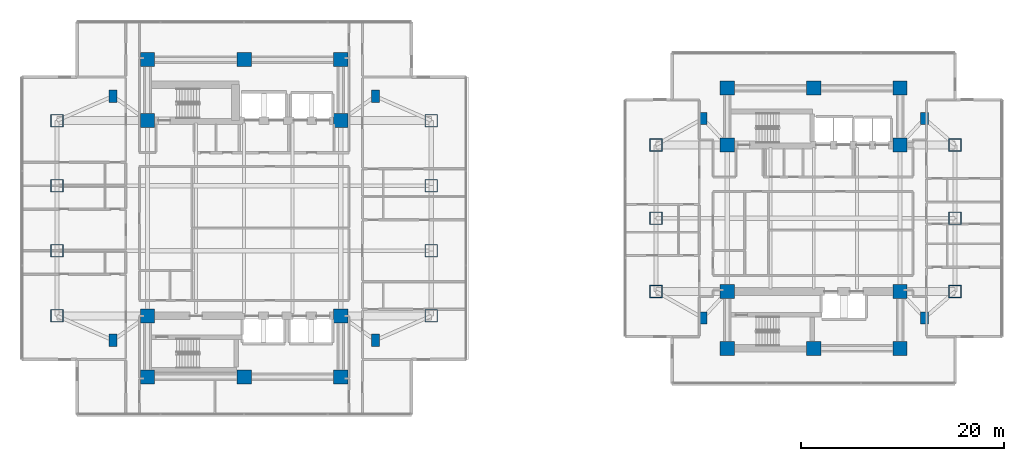
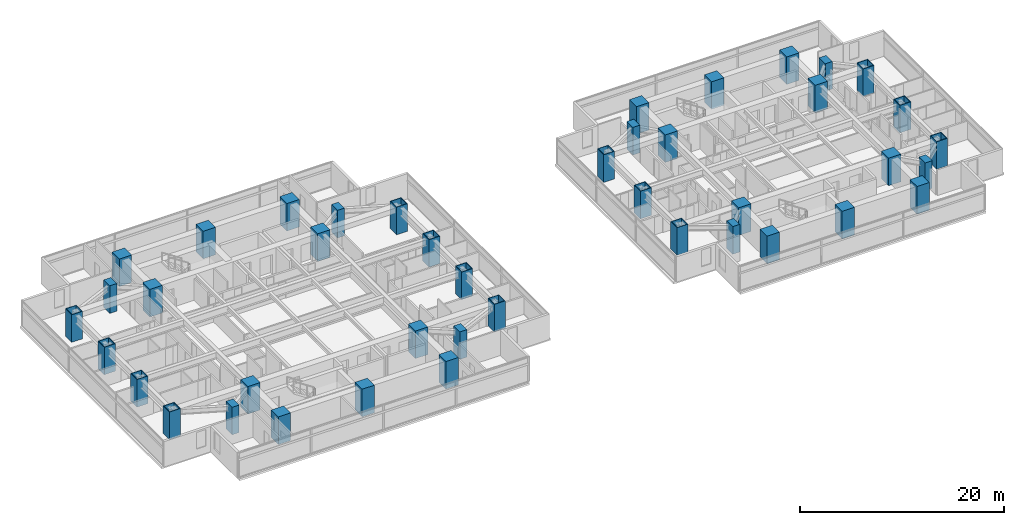
# One storey, part 1 of 25: 42 columns.
"""IFC4 building model written with IfcOpenShell, lengths in metres."""

from ifc_helpers import new_model, si_unit, direction, frame, origin, origin_2d, place, context, subcontext, project, spatial, rectangle, hollow_rectangle, extrude, material, material_profile, profile_set, type_object, element, save


model = new_model("IFC4")

# Units and contexts
model_context = context("Model", 3, precision=1e-05, world=origin(), true_north=direction((0.0, 1.0)))
body_context = subcontext(model_context, "Body", "Model", "MODEL_VIEW")
ifc_project = project(units=[si_unit("LENGTHUNIT", "METRE"), si_unit("AREAUNIT", "SQUARE_METRE"), si_unit("VOLUMEUNIT", "CUBIC_METRE"), si_unit("PLANEANGLEUNIT", "RADIAN"), si_unit("MASSUNIT", "GRAM", prefix="KILO")], contexts=[model_context])

# Site, building, storey
site_placement = place(None, origin())
site = spatial("IfcSite", under=ifc_project, at=site_placement, CompositionType="ELEMENT")
building_placement = place(site_placement, origin())
building = spatial("IfcBuilding", under=site, at=building_placement, Name="Mirazonda Arch Towers", CompositionType="ELEMENT")
storey_placement = place(building_placement, frame((0.0, 0.0, 32.300048828125)))
storey = spatial("IfcBuildingStorey", under=building, at=storey_placement, Name="L08", CompositionType="ELEMENT", Elevation=32.300048828125)

# Columns
ifc_material_1 = material(Name="Concrete C60/75", Category="concrete")
ifc_material_profile_1 = material_profile(ifc_material_1, rectangle(XDim=1.39990234375, YDim=1.39990234375, at=origin_2d()), Name="RC1400x1400")
ifc_profile_set_1 = profile_set([ifc_material_profile_1], Name="Concrete C60/75")
column_type_1 = type_object("IfcColumnType", Name="COL-INT-RC1400x1400", PredefinedType="COLUMN", material=ifc_profile_set_1)
for number, where, z_axis, x_axis, name in (
    (1, (11.0, 12.39990234375, 0.0), (0.0, 0.0, 1.0), (1.0, 0.0, 0.0), "L08 T1 Core Column 01"),
    (2, (20.5, 12.39990234375, 0.0), (0.0, 0.0, 1.0), (1.0, 0.0, 0.0), "L08 T1 Core Column 02"),
    (3, (30.0, 12.39990234375, 0.0), (0.0, 0.0, 1.0), (1.0, 0.0, 0.0), "L08 T1 Core Column 03"),
    (4, (11.0, 18.39990234375, 0.0), (0.0, 0.0, 1.0), (1.0, 0.0, 0.0), "L08 T1 Core Column 04"),
    (5, (30.0, 18.39990234375, 0.0), (0.0, 0.0, 1.0), (1.0, 0.0, 0.0), "L08 T1 Core Column 05"),
    (6, (11.0, 37.60009765625, 0.0), (0.0, 0.0, 1.0), (1.0, 0.0, 0.0), "L08 T1 Core Column 06"),
    (7, (30.0, 37.60009765625, 0.0), (0.0, 0.0, 1.0), (1.0, 0.0, 0.0), "L08 T1 Core Column 07"),
    (8, (11.0, 43.60009765625, 0.0), (0.0, 0.0, 1.0), (1.0, 0.0, 0.0), "L08 T1 Core Column 08"),
    (9, (20.5, 43.60009765625, 0.0), (0.0, 0.0, 1.0), (1.0, 0.0, 0.0), "L08 T1 Core Column 09"),
    (10, (30.0, 43.60009765625, 0.0), (0.0, 0.0, 1.0), (1.0, 0.0, 0.0), "L08 T1 Core Column 10"),
    (11, (68.0, 15.199951171875, 0.0), (0.0, 0.0, 1.0), (1.0, 0.0, 0.0), "L08 T2 Core Column 01"),
    (12, (76.5, 15.199951171875, 0.0), (0.0, 0.0, 1.0), (1.0, 0.0, 0.0), "L08 T2 Core Column 02"),
    (13, (85.0, 15.199951171875, 0.0), (0.0, 0.0, 1.0), (1.0, 0.0, 0.0), "L08 T2 Core Column 03"),
    (14, (68.0, 20.800048828125, 0.0), (0.0, 0.0, 1.0), (1.0, 0.0, 0.0), "L08 T2 Core Column 04"),
    (15, (85.0, 20.800048828125, 0.0), (0.0, 0.0, 1.0), (1.0, 0.0, 0.0), "L08 T2 Core Column 05"),
    (16, (68.0, 35.199951171875, 0.0), (0.0, 0.0, 1.0), (1.0, 0.0, 0.0), "L08 T2 Core Column 06"),
    (17, (85.0, 35.199951171875, 0.0), (0.0, 0.0, 1.0), (1.0, 0.0, 0.0), "L08 T2 Core Column 07"),
    (18, (68.0, 40.800048828125, 0.0), (0.0, 0.0, 1.0), (1.0, 0.0, 0.0), "L08 T2 Core Column 08"),
    (19, (76.5, 40.800048828125, 0.0), (0.0, 0.0, 1.0), (1.0, 0.0, 0.0), "L08 T2 Core Column 09"),
    (20, (85.0, 40.800048828125, 0.0), (0.0, 0.0, 1.0), (1.0, 0.0, 0.0), "L08 T2 Core Column 10"),
):
    element("IfcColumn", number, at=place(storey_placement, frame(where, z_axis=z_axis, x_axis=x_axis)), inside=storey, type_object=column_type_1, Name=name, PredefinedType="COLUMN", context=body_context, shape_type="SweptSolid", body=[
        extrude(rectangle(XDim=1.39990234375, YDim=1.39990234375, at=origin_2d()), origin(), (0.0, 0.0, 1.0), 3.300048828125),
    ])
ifc_material_2 = material(Name="Steel ASTM A572 Grade 50", Category="steel")
ifc_material_profile_2 = material_profile(ifc_material_2, hollow_rectangle(XDim=1.25, YDim=1.25, WallThickness=0.070068359375, at=origin_2d()), Name="BOX1250x1250x70")
ifc_profile_set_2 = profile_set([ifc_material_profile_2], Name="Steel ASTM A572 Grade 50")
column_type_2 = type_object("IfcColumnType", Name="MCOL-EXT-BOX1250x1250x70", PredefinedType="COLUMN", material=ifc_profile_set_2)
for number, where, z_axis, x_axis, name in (
    (21, (2.10009765625, 18.39990234375, 0.0), (0.0, 0.0, 1.0), (1.0, 0.0, 0.0), "L08 T1 Composite Mega-Column 01"),
    (22, (2.10009765625, 24.800048828125, 0.0), (0.0, 0.0, 1.0), (1.0, 0.0, 0.0), "L08 T1 Composite Mega-Column 02"),
    (23, (2.10009765625, 31.199951171875, 0.0), (0.0, 0.0, 1.0), (1.0, 0.0, 0.0), "L08 T1 Composite Mega-Column 03"),
    (24, (2.10009765625, 37.60009765625, 0.0), (0.0, 0.0, 1.0), (1.0, 0.0, 0.0), "L08 T1 Composite Mega-Column 04"),
    (25, (38.89990234375, 18.39990234375, 0.0), (0.0, 0.0, 1.0), (1.0, 0.0, 0.0), "L08 T1 Composite Mega-Column 05"),
    (26, (38.89990234375, 24.800048828125, 0.0), (0.0, 0.0, 1.0), (1.0, 0.0, 0.0), "L08 T1 Composite Mega-Column 06"),
    (27, (38.89990234375, 31.199951171875, 0.0), (0.0, 0.0, 1.0), (1.0, 0.0, 0.0), "L08 T1 Composite Mega-Column 07"),
    (28, (38.89990234375, 37.60009765625, 0.0), (0.0, 0.0, 1.0), (1.0, 0.0, 0.0), "L08 T1 Composite Mega-Column 08"),
    (29, (61.0, 20.800048828125, 0.0), (0.0, 0.0, 1.0), (1.0, 0.0, 0.0), "L08 T2 Composite Mega-Column 01"),
    (30, (61.0, 28.0, 0.0), (0.0, 0.0, 1.0), (1.0, 0.0, 0.0), "L08 T2 Composite Mega-Column 02"),
    (31, (61.0, 35.199951171875, 0.0), (0.0, 0.0, 1.0), (1.0, 0.0, 0.0), "L08 T2 Composite Mega-Column 03"),
    (32, (90.39990234375, 20.800048828125, 0.0), (0.0, 0.0, 1.0), (1.0, 0.0, 0.0), "L08 T2 Composite Mega-Column 04"),
    (33, (90.39990234375, 28.0, 0.0), (0.0, 0.0, 1.0), (1.0, 0.0, 0.0), "L08 T2 Composite Mega-Column 05"),
    (34, (90.39990234375, 35.199951171875, 0.0), (0.0, 0.0, 1.0), (1.0, 0.0, 0.0), "L08 T2 Composite Mega-Column 06"),
):
    element("IfcColumn", number, at=place(storey_placement, frame(where, z_axis=z_axis, x_axis=x_axis)), inside=storey, type_object=column_type_2, Name=name, PredefinedType="COLUMN", context=body_context, shape_type="SweptSolid", body=[
        extrude(hollow_rectangle(XDim=1.25, YDim=1.25, WallThickness=0.070068359375, at=origin_2d()), origin(), (0.0, 0.0, 1.0), 3.300048828125),
    ])
ifc_material_profile_3 = material_profile(ifc_material_1, rectangle(XDim=0.800048828125, YDim=1.199951171875, at=origin_2d()), Name="RC1200x800")
ifc_profile_set_3 = profile_set([ifc_material_profile_3], Name="Concrete C60/75")
column_type_3 = type_object("IfcColumnType", Name="PIL-EXT-RC1200x800", PredefinedType="PILASTER", material=ifc_profile_set_3)
for number, where, z_axis, x_axis, name in (
    (35, (7.60009765625, 16.0, 0.0), (0.0, 0.0, 1.0), (1.0, 0.0, 0.0), "L08 T1 Corner Pilaster 01"),
    (36, (33.39990234375, 16.0, 0.0), (0.0, 0.0, 1.0), (1.0, 0.0, 0.0), "L08 T1 Corner Pilaster 02"),
    (37, (7.60009765625, 40.0, 0.0), (0.0, 0.0, 1.0), (1.0, 0.0, 0.0), "L08 T1 Corner Pilaster 03"),
    (38, (33.39990234375, 40.0, 0.0), (0.0, 0.0, 1.0), (1.0, 0.0, 0.0), "L08 T1 Corner Pilaster 04"),
    (39, (65.60009765625, 18.199951171875, 0.0), (0.0, 0.0, 1.0), (1.0, 0.0, 0.0), "L08 T2 Corner Pilaster 01"),
    (40, (87.39990234375, 18.199951171875, 0.0), (0.0, 0.0, 1.0), (1.0, 0.0, 0.0), "L08 T2 Corner Pilaster 02"),
    (41, (65.60009765625, 37.800048828125, 0.0), (0.0, 0.0, 1.0), (1.0, 0.0, 0.0), "L08 T2 Corner Pilaster 03"),
    (42, (87.39990234375, 37.800048828125, 0.0), (0.0, 0.0, 1.0), (1.0, 0.0, 0.0), "L08 T2 Corner Pilaster 04"),
):
    element("IfcColumn", number, at=place(storey_placement, frame(where, z_axis=z_axis, x_axis=x_axis)), inside=storey, type_object=column_type_3, Name=name, PredefinedType="PILASTER", context=body_context, shape_type="SweptSolid", body=[
        extrude(rectangle(XDim=0.800048828125, YDim=1.199951171875, at=origin_2d()), origin(), (0.0, 0.0, 1.0), 3.300048828125),
    ])

save(model, "model.ifc")
